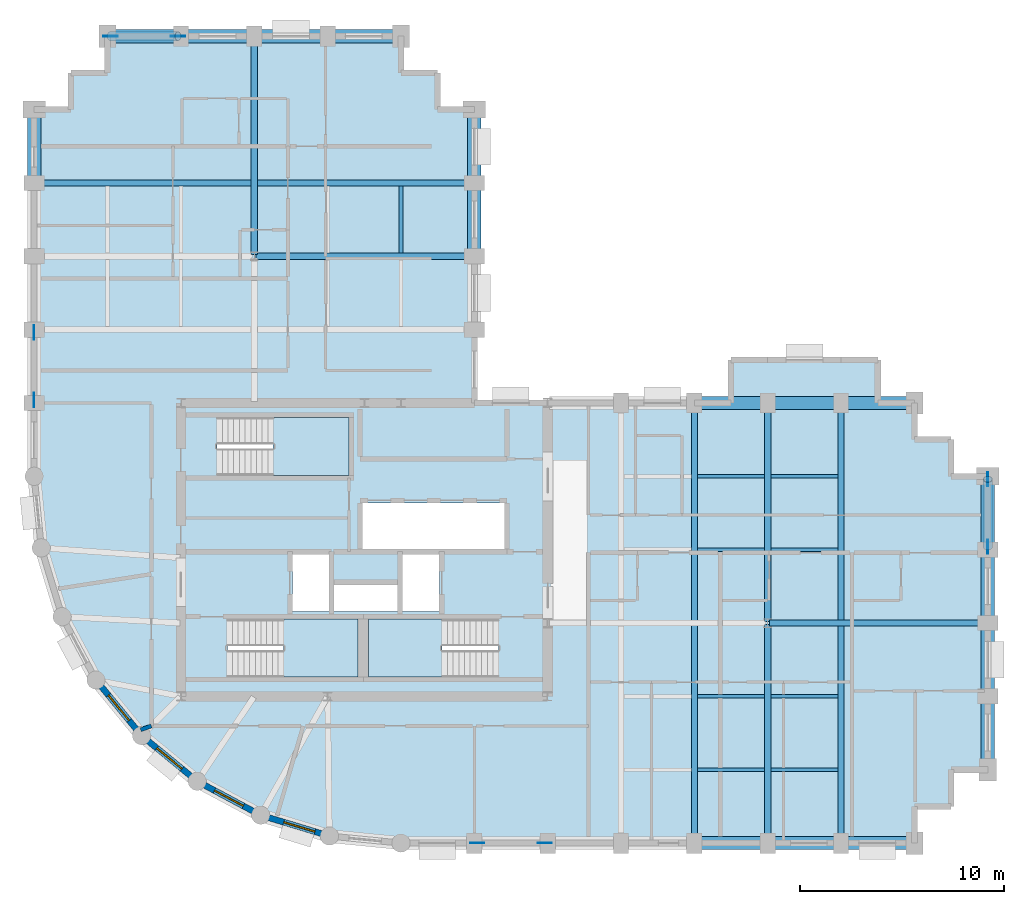
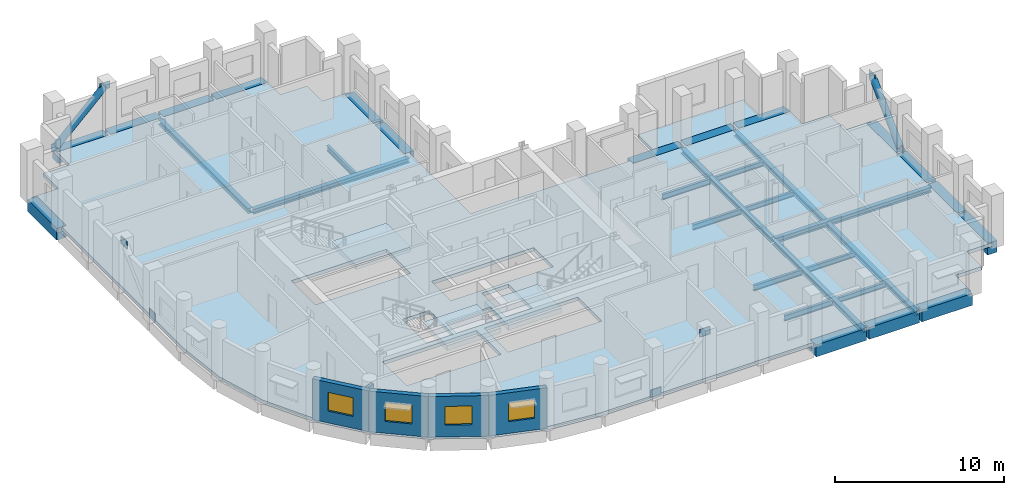
# One storey, part 2 of 9: 34 beams, 8 plates, 5 walls, 4 slabs, 4 windows, 2 members, 4 openings, 3 elements without a shape of their own.
"""IFC4 building model written with IfcOpenShell, lengths in metres."""

from ifc_helpers import new_model, si_unit, direction, frame, frame_2d, origin, origin_2d, place, context, subcontext, project, spatial, polyline, rectangle, hollow_circle, i_section, outline, extrude, material, layer, layer_set, material_profile, profile_set, type_object, element, fill, aggregate, save


model = new_model("IFC4")

# Units and contexts
model_context = context("Model", 3, precision=1e-05, world=origin(), true_north=direction((0.0, 1.0)))
body_context = subcontext(model_context, "Body", "Model", "MODEL_VIEW")
ifc_project = project(units=[si_unit("LENGTHUNIT", "METRE"), si_unit("AREAUNIT", "SQUARE_METRE"), si_unit("VOLUMEUNIT", "CUBIC_METRE"), si_unit("PLANEANGLEUNIT", "RADIAN"), si_unit("MASSUNIT", "GRAM", prefix="KILO")], contexts=[model_context])

# Site, building, storey
site_placement = place(None, origin())
site = spatial("IfcSite", under=ifc_project, at=site_placement, CompositionType="ELEMENT")
building_placement = place(site_placement, origin())
building = spatial("IfcBuilding", under=site, at=building_placement, Name="Solnavia Interchange Tower", CompositionType="ELEMENT")
storey_placement = place(building_placement, frame((0.0, 0.0, 142.800048828125)))
storey = spatial("IfcBuildingStorey", under=building, at=storey_placement, Name="L35", CompositionType="ELEMENT", Elevation=142.800048828125)

# Beams
ifc_material_1 = material(Name="Steel S460", Category="steel")
ifc_material_profile_1 = material_profile(ifc_material_1, i_section(OverallWidth=0.300048828125, OverallDepth=0.360107421875, WebThickness=0.012451171875, FlangeThickness=0.0224609375, FilletRadius=0.027099609375, at=origin_2d()), Name="HEB 360")
ifc_profile_set_1 = profile_set([ifc_material_profile_1], Name="Steel S460")
beam_type_1 = type_object("IfcBeamType", Name="Beam-Girder-HEB360", PredefinedType="BEAM", material=ifc_profile_set_1)
beam_1_placement = place(storey_placement, frame((43.280029296875, 14.39990234375, -0.429931640625), z_axis=(1.0, 0.0, 0.0), x_axis=(0.0, 1.0, 0.0)))
element("IfcBeam", 1, at=beam_1_placement, inside=storey, type_object=beam_type_1, Name="GRD-L35-ES02 East wing spine girder", PredefinedType="BEAM", context=body_context, shape_type="SweptSolid", body=[
    extrude(i_section(OverallWidth=0.300048828125, OverallDepth=0.360107421875, WebThickness=0.012451171875, FlangeThickness=0.0224609375, FilletRadius=0.027099609375, at=origin_2d()), origin(), (0.0, 0.0, 1.0), 10.639892578125),
])
for number, where, z_axis, x_axis, name in (
    (2, (39.60009765625, 3.679931640625, -0.429931640625), (0.0, 1.0, 0.0), (-1.0, 0.0, 0.0), "GRD-L35-EW04 East wing primary floor girder"),
    (3, (46.800048828125, 3.679931640625, -0.429931640625), (0.0, 1.0, 0.0), (-1.0, 0.0, 0.0), "GRD-L35-EW07 East wing primary floor girder"),
):
    element("IfcBeam", number, at=place(storey_placement, frame(where, z_axis=z_axis, x_axis=x_axis)), inside=storey, type_object=beam_type_1, Name=name, PredefinedType="BEAM", context=body_context, shape_type="SweptSolid", body=[
        extrude(i_section(OverallWidth=0.300048828125, OverallDepth=0.360107421875, WebThickness=0.012451171875, FlangeThickness=0.0224609375, FilletRadius=0.027099609375, at=origin_2d()), origin(), (0.0, 0.0, 1.0), 21.440185546875),
    ])
beam_2_placement = place(storey_placement, frame((18.0, 32.47998046875, -0.429931640625), z_axis=(0.0, 1.0, 0.0), x_axis=(-1.0, 0.0, 0.0)))
element("IfcBeam", 4, at=beam_2_placement, inside=storey, type_object=beam_type_1, Name="GRD-L35-NS09 North wing spine girder", PredefinedType="BEAM", context=body_context, shape_type="SweptSolid", body=[
    extrude(i_section(OverallWidth=0.300048828125, OverallDepth=0.360107421875, WebThickness=0.012451171875, FlangeThickness=0.0224609375, FilletRadius=0.027099609375, at=origin_2d()), origin(), (0.0, 0.0, 1.0), 10.64013671875),
])
beam_3_placement = place(storey_placement, frame((7.280029296875, 36.0, -0.429931640625), z_axis=(1.0, 0.0, 0.0), x_axis=(0.0, 1.0, 0.0)))
element("IfcBeam", 5, at=beam_3_placement, inside=storey, type_object=beam_type_1, Name="GRD-L35-NW13 North wing primary floor girder", PredefinedType="BEAM", context=body_context, shape_type="SweptSolid", body=[
    extrude(i_section(OverallWidth=0.300048828125, OverallDepth=0.360107421875, WebThickness=0.012451171875, FlangeThickness=0.0224609375, FilletRadius=0.027099609375, at=origin_2d()), origin(), (0.0, 0.0, 1.0), 21.43994140625),
])
ifc_material_2 = material(Name="Steel S355", Category="steel")
ifc_material_profile_2 = material_profile(ifc_material_2, i_section(OverallWidth=0.169921875, OverallDepth=0.360107421875, WebThickness=0.008056640625, FlangeThickness=0.0126953125, FilletRadius=0.01806640625, at=origin_2d()), Name="IPE 360")
ifc_profile_set_2 = profile_set([ifc_material_profile_2], Name="Steel S355")
beam_type_2 = type_object("IfcBeamType", Name="Beam-Joist-IPE360", PredefinedType="JOIST", material=ifc_profile_set_2)
for number, where, z_axis, x_axis, name in (
    (6, (43.35009765625, 7.199951171875, -0.429931640625), (1.0, 0.0, 0.0), (0.0, 1.0, 0.0), "JST-L35-E03 East wing secondary joist"),
    (7, (43.35009765625, 10.800048828125, -0.429931640625), (1.0, 0.0, 0.0), (0.0, 1.0, 0.0), "JST-L35-E06 East wing secondary joist"),
    (8, (43.35009765625, 18.0, -0.429931640625), (1.0, 0.0, 0.0), (0.0, 1.0, 0.0), "JST-L35-E09 East wing secondary joist"),
    (9, (43.35009765625, 21.60009765625, -0.429931640625), (1.0, 0.0, 0.0), (0.0, 1.0, 0.0), "JST-L35-E12 East wing secondary joist"),
):
    element("IfcBeam", number, at=place(storey_placement, frame(where, z_axis=z_axis, x_axis=x_axis)), inside=storey, type_object=beam_type_2, Name=name, PredefinedType="JOIST", context=body_context, shape_type="SweptSolid", body=[
        extrude(i_section(OverallWidth=0.169921875, OverallDepth=0.360107421875, WebThickness=0.008056640625, FlangeThickness=0.0126953125, FilletRadius=0.01806640625, at=origin_2d()), origin(), (0.0, 0.0, 1.0), 3.2998046875),
    ])
ifc_material_profile_3 = material_profile(ifc_material_2, i_section(OverallWidth=0.179931640625, OverallDepth=0.39990234375, WebThickness=0.008544921875, FlangeThickness=0.013427734375, FilletRadius=0.02099609375, at=origin_2d()), Name="IPE 400")
ifc_profile_set_3 = profile_set([ifc_material_profile_3], Name="Steel S355")
beam_type_3 = type_object("IfcBeamType", Name="Beam-Joist-IPE400", PredefinedType="JOIST", material=ifc_profile_set_3)
for number, where, z_axis, x_axis, name in (
    (10, (39.75, 7.199951171875, -0.449951171875), (1.0, 0.0, 0.0), (0.0, 1.0, 0.0), "JST-L35-E02 East wing secondary joist"),
    (11, (39.75, 10.800048828125, -0.449951171875), (1.0, 0.0, 0.0), (0.0, 1.0, 0.0), "JST-L35-E05 East wing secondary joist"),
    (12, (39.75, 18.0, -0.449951171875), (1.0, 0.0, 0.0), (0.0, 1.0, 0.0), "JST-L35-E08 East wing secondary joist"),
    (13, (39.75, 21.60009765625, -0.449951171875), (1.0, 0.0, 0.0), (0.0, 1.0, 0.0), "JST-L35-E11 East wing secondary joist"),
    (14, (25.199951171875, 32.550048828125, -0.449951171875), (0.0, 1.0, 0.0), (-1.0, 0.0, 0.0), "JST-L35-N20 North wing secondary joist"),
):
    element("IfcBeam", number, at=place(storey_placement, frame(where, z_axis=z_axis, x_axis=x_axis)), inside=storey, type_object=beam_type_3, Name=name, PredefinedType="JOIST", context=body_context, shape_type="SweptSolid", body=[
        extrude(i_section(OverallWidth=0.179931640625, OverallDepth=0.39990234375, WebThickness=0.008544921875, FlangeThickness=0.013427734375, FilletRadius=0.02099609375, at=origin_2d()), origin(), (0.0, 0.0, 1.0), 3.300048828125),
    ])
ifc_material_profile_4 = material_profile(ifc_material_2, i_section(OverallWidth=0.300048828125, OverallDepth=0.35009765625, WebThickness=0.010009765625, FlangeThickness=0.017578125, FilletRadius=0.027099609375, at=origin_2d()), Name="HEA 360")
ifc_profile_set_4 = profile_set([ifc_material_profile_4], Name="Steel S355")
beam_type_4 = type_object("IfcBeamType", Name="Beam-Primary-HEA360", PredefinedType="BEAM", material=ifc_profile_set_4)
for number, where, z_axis, x_axis, name in (
    (15, (43.199951171875, 3.679931640625, -0.425048828125), (0.0, 1.0, 0.0), (-1.0, 0.0, 0.0), "GRD-L35-EW05 East wing primary floor girder"),
    (16, (43.199951171875, 14.47998046875, -0.425048828125), (0.0, 1.0, 0.0), (-1.0, 0.0, 0.0), "GRD-L35-EW06 East wing primary floor girder"),
):
    element("IfcBeam", number, at=place(storey_placement, frame(where, z_axis=z_axis, x_axis=x_axis)), inside=storey, type_object=beam_type_4, Name=name, PredefinedType="BEAM", context=body_context, shape_type="SweptSolid", body=[
        extrude(i_section(OverallWidth=0.300048828125, OverallDepth=0.35009765625, WebThickness=0.010009765625, FlangeThickness=0.017578125, FilletRadius=0.027099609375, at=origin_2d()), origin(), (0.0, 0.0, 1.0), 10.64013671875),
    ])
beam_4_placement = place(storey_placement, frame((18.080078125, 32.39990234375, -0.425048828125), z_axis=(1.0, 0.0, 0.0), x_axis=(0.0, 1.0, 0.0)))
element("IfcBeam", 17, at=beam_4_placement, inside=storey, type_object=beam_type_4, Name="GRD-L35-NW12 North wing primary floor girder", PredefinedType="BEAM", context=body_context, shape_type="SweptSolid", body=[
    extrude(i_section(OverallWidth=0.300048828125, OverallDepth=0.35009765625, WebThickness=0.010009765625, FlangeThickness=0.017578125, FilletRadius=0.027099609375, at=origin_2d()), origin(), (0.0, 0.0, 1.0), 10.639892578125),
])
ifc_material_3 = material(Name="Concrete C50/60", Category="concrete")
ifc_material_profile_5 = material_profile(ifc_material_3, rectangle(XDim=0.64990234375, YDim=0.85009765625, at=origin_2d()), Name="RC 650x850")
ifc_profile_set_5 = profile_set([ifc_material_profile_5], Name="Concrete C50/60")
beam_type_5 = type_object("IfcBeamType", Name="Beam-Spandrel-RC650x850", PredefinedType="SPANDREL", material=ifc_profile_set_5)
beam_5_placement = place(storey_placement, frame((39.679931640625, 3.60009765625, -0.425048828125), z_axis=(1.0, 0.0, 0.0), x_axis=(0.0, 1.0, 0.0)))
element("IfcBeam", 18, at=beam_5_placement, inside=storey, type_object=beam_type_5, Name="SPB-L35-13 Framed-tube perimeter spandrel beam", PredefinedType="SPANDREL", context=body_context, shape_type="SweptSolid", body=[
    extrude(rectangle(XDim=0.64990234375, YDim=0.85009765625, at=origin_2d()), origin(), (0.0, 0.0, 1.0), 3.440185546875),
])
beam_6_placement = place(storey_placement, frame((43.280029296875, 3.60009765625, -0.425048828125), z_axis=(1.0, 0.0, 0.0), x_axis=(0.0, 1.0, 0.0)))
element("IfcBeam", 19, at=beam_6_placement, inside=storey, type_object=beam_type_5, Name="SPB-L35-14 Framed-tube perimeter spandrel beam", PredefinedType="SPANDREL", context=body_context, shape_type="SweptSolid", body=[
    extrude(rectangle(XDim=0.64990234375, YDim=0.85009765625, at=origin_2d()), origin(), (0.0, 0.0, 1.0), 3.43994140625),
])
beam_7_placement = place(storey_placement, frame((46.8798828125, 3.60009765625, -0.425048828125), z_axis=(1.0, 0.0, 0.0), x_axis=(0.0, 1.0, 0.0)))
element("IfcBeam", 20, at=beam_7_placement, inside=storey, type_object=beam_type_5, Name="SPB-L35-15 Framed-tube perimeter spandrel beam", PredefinedType="SPANDREL", context=body_context, shape_type="SweptSolid", body=[
    extrude(rectangle(XDim=0.64990234375, YDim=0.85009765625, at=origin_2d()), origin(), (0.0, 0.0, 1.0), 3.440185546875),
])
beam_8_placement = place(storey_placement, frame((54.0, 7.280029296875, -0.425048828125), z_axis=(0.0, 1.0, 0.0), x_axis=(-1.0, 0.0, 0.0)))
element("IfcBeam", 21, at=beam_8_placement, inside=storey, type_object=beam_type_5, Name="SPB-L35-16 Framed-tube perimeter spandrel beam", PredefinedType="SPANDREL", context=body_context, shape_type="SweptSolid", body=[
    extrude(rectangle(XDim=0.64990234375, YDim=0.85009765625, at=origin_2d()), origin(), (0.0, 0.0, 1.0), 3.43994140625),
])
beam_9_placement = place(storey_placement, frame((54.0, 10.8798828125, -0.425048828125), z_axis=(0.0, 1.0, 0.0), x_axis=(-1.0, 0.0, 0.0)))
element("IfcBeam", 22, at=beam_9_placement, inside=storey, type_object=beam_type_5, Name="SPB-L35-17 Framed-tube perimeter spandrel beam", PredefinedType="SPANDREL", context=body_context, shape_type="SweptSolid", body=[
    extrude(rectangle(XDim=0.64990234375, YDim=0.85009765625, at=origin_2d()), origin(), (0.0, 0.0, 1.0), 3.440185546875),
])
for number, where, z_axis, x_axis, name in (
    (23, (54.0, 14.47998046875, -0.425048828125), (0.0, 1.0, 0.0), (-1.0, 0.0, 0.0), "SPB-L35-18 Framed-tube perimeter spandrel beam"),
    (24, (54.0, 18.080078125, -0.425048828125), (0.0, 1.0, 0.0), (-1.0, 0.0, 0.0), "SPB-L35-19 Framed-tube perimeter spandrel beam"),
):
    element("IfcBeam", number, at=place(storey_placement, frame(where, z_axis=z_axis, x_axis=x_axis)), inside=storey, type_object=beam_type_5, Name=name, PredefinedType="SPANDREL", context=body_context, shape_type="SweptSolid", body=[
        extrude(rectangle(XDim=0.64990234375, YDim=0.85009765625, at=origin_2d()), origin(), (0.0, 0.0, 1.0), 3.43994140625),
    ])
beam_10_placement = place(storey_placement, frame((50.320068359375, 25.199951171875, -0.425048828125), z_axis=(-1.0, 0.0, 0.0), x_axis=(0.0, -1.0, 0.0)))
element("IfcBeam", 25, at=beam_10_placement, inside=storey, type_object=beam_type_5, Name="SPB-L35-20 Framed-tube perimeter spandrel beam", PredefinedType="SPANDREL", context=body_context, shape_type="SweptSolid", body=[
    extrude(rectangle(XDim=0.64990234375, YDim=0.85009765625, at=origin_2d()), origin(), (0.0, 0.0, 1.0), 3.440185546875),
])
beam_11_placement = place(storey_placement, frame((46.719970703125, 25.199951171875, -0.425048828125), z_axis=(-1.0, 0.0, 0.0), x_axis=(0.0, -1.0, 0.0)))
element("IfcBeam", 26, at=beam_11_placement, inside=storey, type_object=beam_type_5, Name="SPB-L35-21 Framed-tube perimeter spandrel beam", PredefinedType="SPANDREL", context=body_context, shape_type="SweptSolid", body=[
    extrude(rectangle(XDim=0.64990234375, YDim=0.85009765625, at=origin_2d()), origin(), (0.0, 0.0, 1.0), 3.43994140625),
])
beam_12_placement = place(storey_placement, frame((43.1201171875, 25.199951171875, -0.425048828125), z_axis=(-1.0, 0.0, 0.0), x_axis=(0.0, -1.0, 0.0)))
element("IfcBeam", 27, at=beam_12_placement, inside=storey, type_object=beam_type_5, Name="SPB-L35-22 Framed-tube perimeter spandrel beam", PredefinedType="SPANDREL", context=body_context, shape_type="SweptSolid", body=[
    extrude(rectangle(XDim=0.64990234375, YDim=0.85009765625, at=origin_2d()), origin(), (0.0, 0.0, 1.0), 3.440185546875),
])
for number, where, z_axis, x_axis, name in (
    (28, (28.800048828125, 32.47998046875, -0.425048828125), (0.0, 1.0, 0.0), (-1.0, 0.0, 0.0), "SPB-L35-26 Framed-tube perimeter spandrel beam"),
    (29, (28.800048828125, 36.080078125, -0.425048828125), (0.0, 1.0, 0.0), (-1.0, 0.0, 0.0), "SPB-L35-27 Framed-tube perimeter spandrel beam"),
):
    element("IfcBeam", number, at=place(storey_placement, frame(where, z_axis=z_axis, x_axis=x_axis)), inside=storey, type_object=beam_type_5, Name=name, PredefinedType="SPANDREL", context=body_context, shape_type="SweptSolid", body=[
        extrude(rectangle(XDim=0.64990234375, YDim=0.85009765625, at=origin_2d()), origin(), (0.0, 0.0, 1.0), 3.43994140625),
    ])
beam_13_placement = place(storey_placement, frame((25.1201171875, 43.199951171875, -0.425048828125), z_axis=(-1.0, 0.0, 0.0), x_axis=(0.0, -1.0, 0.0)))
element("IfcBeam", 30, at=beam_13_placement, inside=storey, type_object=beam_type_5, Name="SPB-L35-28 Framed-tube perimeter spandrel beam", PredefinedType="SPANDREL", context=body_context, shape_type="SweptSolid", body=[
    extrude(rectangle(XDim=0.64990234375, YDim=0.85009765625, at=origin_2d()), origin(), (0.0, 0.0, 1.0), 3.440185546875),
])
for number, where, z_axis, x_axis, name in (
    (31, (21.52001953125, 43.199951171875, -0.425048828125), (-1.0, 0.0, 0.0), (0.0, -1.0, 0.0), "SPB-L35-29 Framed-tube perimeter spandrel beam"),
    (32, (17.919921875, 43.199951171875, -0.425048828125), (-1.0, 0.0, 0.0), (0.0, -1.0, 0.0), "SPB-L35-30 Framed-tube perimeter spandrel beam"),
):
    element("IfcBeam", number, at=place(storey_placement, frame(where, z_axis=z_axis, x_axis=x_axis)), inside=storey, type_object=beam_type_5, Name=name, PredefinedType="SPANDREL", context=body_context, shape_type="SweptSolid", body=[
        extrude(rectangle(XDim=0.64990234375, YDim=0.85009765625, at=origin_2d()), origin(), (0.0, 0.0, 1.0), 3.43994140625),
    ])
beam_14_placement = place(storey_placement, frame((14.320068359375, 43.199951171875, -0.425048828125), z_axis=(-1.0, 0.0, 0.0), x_axis=(0.0, -1.0, 0.0)))
element("IfcBeam", 33, at=beam_14_placement, inside=storey, type_object=beam_type_5, Name="SPB-L35-31 Framed-tube perimeter spandrel beam", PredefinedType="SPANDREL", context=body_context, shape_type="SweptSolid", body=[
    extrude(rectangle(XDim=0.64990234375, YDim=0.85009765625, at=origin_2d()), origin(), (0.0, 0.0, 1.0), 3.440185546875),
])
beam_15_placement = place(storey_placement, frame((7.199951171875, 39.52001953125, -0.425048828125), z_axis=(0.0, -1.0, 0.0), x_axis=(1.0, 0.0, 0.0)))
element("IfcBeam", 34, at=beam_15_placement, inside=storey, type_object=beam_type_5, Name="SPB-L35-32 Framed-tube perimeter spandrel beam", PredefinedType="SPANDREL", context=body_context, shape_type="SweptSolid", body=[
    extrude(rectangle(XDim=0.64990234375, YDim=0.85009765625, at=origin_2d()), origin(), (0.0, 0.0, 1.0), 3.43994140625),
])

# Members
ifc_material_profile_6 = material_profile(ifc_material_1, hollow_circle(Radius=0.228515625, WallThickness=0.02001953125, at=origin_2d()), Name="CHS 457x20")
ifc_profile_set_6 = profile_set([ifc_material_profile_6], Name="Steel S460")
member_type = type_object("IfcMemberType", Name="Brace-Perim-CHS457", PredefinedType="BRACE", material=ifc_profile_set_6)
for number, where, z_axis, x_axis, name in (
    (35, (54.0, 18.139892578125, 0.179931640625), (0.0, 0.721096918576, 0.692834203847), (-1.0, 0.0, 0.0), "BRC-L35-03 Perimeter tube diagonal brace"),
    (36, (10.93994140625, 43.199951171875, 0.179931640625), (0.721096918576, 0.0, 0.692834203847), (0.0, 1.0, 0.0), "BRC-L35-04 Perimeter tube diagonal brace"),
):
    element("IfcMember", number, at=place(storey_placement, frame(where, z_axis=z_axis, x_axis=x_axis)), inside=storey, type_object=member_type, Name=name, PredefinedType="BRACE", context=body_context, shape_type="SweptSolid", body=[
        extrude(hollow_circle(Radius=0.228515625, WallThickness=0.02001953125, at=origin_2d()), origin(), (0.0, 0.0, 1.0), 4.604248046875),
    ])

# Plates
ifc_layer_1 = layer(ifc_material_1, 0.030029296875)
ifc_layer_set_1 = layer_set([ifc_layer_1], Name="Steel S460")
plate_type = type_object("IfcPlateType", Name="Plate-Gusset-700x520x30", PredefinedType="USERDEFINED", material=ifc_layer_set_1)
for number, where, z_axis, x_axis, name in (
    (37, (28.93994140625, 3.60009765625, -0.080078125), (0.0, 0.0, 1.0), (1.0, 0.0, 0.0), "PLT-L35-GP01 Perimeter brace gusset plate"),
    (38, (32.260009765625, 3.60009765625, 3.10986328125), (0.0, 0.0, 1.0), (1.0, 0.0, 0.0), "PLT-L35-GP02 Perimeter brace gusset plate"),
    (39, (7.199951171875, 25.340087890625, -0.080078125), (0.0, 0.0, 1.0), (0.0, 1.0, 0.0), "PLT-L35-GP03 Perimeter brace gusset plate"),
    (40, (7.199951171875, 28.659912109375, 3.10986328125), (0.0, 0.0, 1.0), (0.0, 1.0, 0.0), "PLT-L35-GP04 Perimeter brace gusset plate"),
    (41, (54.0, 18.139892578125, -0.080078125), (0.0, 0.0, 1.0), (0.0, 1.0, 0.0), "PLT-L35-GP05 Perimeter brace gusset plate"),
    (42, (54.0, 21.4599609375, 3.10986328125), (0.0, 0.0, 1.0), (0.0, 1.0, 0.0), "PLT-L35-GP06 Perimeter brace gusset plate"),
    (43, (10.93994140625, 43.199951171875, -0.080078125), (0.0, 0.0, 1.0), (1.0, 0.0, 0.0), "PLT-L35-GP07 Perimeter brace gusset plate"),
    (44, (14.260009765625, 43.199951171875, 3.10986328125), (0.0, 0.0, 1.0), (1.0, 0.0, 0.0), "PLT-L35-GP08 Perimeter brace gusset plate"),
):
    element("IfcPlate", number, at=place(storey_placement, frame(where, z_axis=z_axis, x_axis=x_axis)), inside=storey, type_object=plate_type, Name=name, ObjectType="GUSSET PLATE", PredefinedType="USERDEFINED", context=body_context, shape_type="SweptSolid", body=[
        extrude(rectangle(XDim=0.699951171875, YDim=0.030029296875, at=origin_2d()), origin(), (0.0, 0.0, 1.0), 0.52001953125),
    ])

# Stair, slab
ifc_material_4 = material(Name="Concrete C40/50", Category="concrete")
stair_type = type_object("IfcStairType", Name="Stair-Dogleg-RC", PredefinedType="HALF_TURN_STAIR", material=ifc_material_4)
stair_1_placement = place(storey_placement, origin())
stair_1 = element("IfcStair", 45, at=stair_1_placement, inside=storey, type_object=stair_type, Name="L35 Core exit stair 1", PredefinedType="HALF_TURN_STAIR")
ifc_layer_2 = layer(ifc_material_4, 0.35009765625)
ifc_layer_set_2 = layer_set([ifc_layer_2], Name="Concrete C40/50")
slab_type_1 = type_object("IfcSlabType", Name="Slab-StairLanding-350", PredefinedType="LANDING", material=ifc_layer_set_2)
slab_1_placement = place(storey_placement, frame((0.0, 0.0, 1.550048828125)))
slab_1 = element("IfcSlab", 46, at=slab_1_placement, type_object=slab_type_1, Name="ST-1 landing 1", PredefinedType="LANDING", context=body_context, shape_type="SweptSolid", body=[
    extrude(outline(polyline([(19.427978515625, 11.75), (23.10009765625, 11.75), (23.10009765625, 14.590087890625), (19.427978515625, 14.590087890625), (19.427978515625, 11.75)])), origin(), (0.0, 0.0, 1.0), 0.349853515625),
])
aggregate(stair_1, [slab_1])

stair_2_placement = place(storey_placement, origin())
stair_2 = element("IfcStair", 47, at=stair_2_placement, inside=storey, type_object=stair_type, Name="L35 Core exit stair 2", PredefinedType="HALF_TURN_STAIR")
slab_2_placement = place(storey_placement, frame((0.0, 0.0, 1.550048828125)))
slab_2 = element("IfcSlab", 48, at=slab_2_placement, type_object=slab_type_1, Name="ST-2 landing 1", PredefinedType="LANDING", context=body_context, shape_type="SweptSolid", body=[
    extrude(outline(polyline([(23.60009765625, 11.75), (27.221923828125, 11.75), (27.221923828125, 14.590087890625), (23.60009765625, 14.590087890625), (23.60009765625, 11.75)])), origin(), (0.0, 0.0, 1.0), 0.349853515625),
])
aggregate(stair_2, [slab_2])

stair_3_placement = place(storey_placement, origin())
stair_3 = element("IfcStair", 49, at=stair_3_placement, inside=storey, type_object=stair_type, Name="L35 Core exit stair 3", PredefinedType="HALF_TURN_STAIR")
slab_3_placement = place(storey_placement, frame((0.0, 0.0, 1.550048828125)))
slab_3 = element("IfcSlab", 50, at=slab_3_placement, type_object=slab_type_1, Name="ST-3 landing 1", PredefinedType="LANDING", context=body_context, shape_type="SweptSolid", body=[
    extrude(outline(polyline([(18.927978515625, 21.64990234375), (22.64990234375, 21.64990234375), (22.64990234375, 24.489990234375), (18.927978515625, 24.489990234375), (18.927978515625, 21.64990234375)])), origin(), (0.0, 0.0, 1.0), 0.349853515625),
])
aggregate(stair_3, [slab_3])

# Slab
ifc_layer_3 = layer(ifc_material_4, 0.25)
ifc_layer_set_3 = layer_set([ifc_layer_3], Name="Concrete C40/50")
slab_type_2 = type_object("IfcSlabType", Name="Slab-Tower-250", PredefinedType="FLOOR", material=ifc_layer_set_3)
slab_4_placement = place(storey_placement, frame((0.0, 0.0, -0.25)))
element("IfcSlab", 51, at=slab_4_placement, inside=storey, type_object=slab_type_2, Name="SLB-L35-01 Structural floor slab", PredefinedType="FLOOR", context=body_context, shape_type="SweptSolid", body=[
    extrude(outline(polyline([(25.199951171875, 3.60009765625), (50.39990234375, 3.60009765625), (50.39990234375, 5.39990234375), (52.199951171875, 5.39990234375), (52.199951171875, 7.199951171875), (54.0, 7.199951171875), (54.0, 21.60009765625), (52.199951171875, 21.60009765625), (52.199951171875, 23.39990234375), (50.39990234375, 23.39990234375), (50.39990234375, 25.199951171875), (48.60009765625, 25.199951171875), (48.60009765625, 27.300048828125), (41.39990234375, 27.300048828125), (41.39990234375, 25.199951171875), (28.800048828125, 25.199951171875), (28.800048828125, 39.60009765625), (27.0, 39.60009765625), (27.0, 41.39990234375), (25.199951171875, 41.39990234375), (25.199951171875, 43.199951171875), (10.800048828125, 43.199951171875), (10.800048828125, 41.39990234375), (9.0, 41.39990234375), (9.0, 39.60009765625), (7.199951171875, 39.60009765625), (7.199951171875, 21.60009765625), (7.5458984375, 18.087890625), (8.570068359375, 14.7119140625), (10.23388671875, 11.60009765625), (12.471923828125, 8.8720703125), (15.199951171875, 6.634033203125), (18.31201171875, 4.969970703125), (21.68798828125, 3.946044921875), (25.199951171875, 3.60009765625)]), holes=[polyline([(16.675048828125, 11.75), (23.10009765625, 11.75), (23.10009765625, 14.590087890625), (16.675048828125, 14.590087890625), (16.675048828125, 11.75)]), polyline([(23.60009765625, 11.75), (29.97509765625, 11.75), (29.97509765625, 14.590087890625), (23.60009765625, 14.590087890625), (23.60009765625, 11.75)]), polyline([(16.175048828125, 21.64990234375), (22.64990234375, 21.64990234375), (22.64990234375, 24.489990234375), (16.175048828125, 24.489990234375), (16.175048828125, 21.64990234375)]), polyline([(19.8798828125, 14.9599609375), (21.679931640625, 14.9599609375), (21.679931640625, 17.780029296875), (19.8798828125, 17.780029296875), (19.8798828125, 14.9599609375)]), polyline([(25.280029296875, 14.9599609375), (27.080078125, 14.9599609375), (27.080078125, 17.780029296875), (25.280029296875, 17.780029296875), (25.280029296875, 14.9599609375)]), polyline([(21.919921875, 14.9599609375), (25.02001953125, 14.9599609375), (25.02001953125, 16.280029296875), (21.919921875, 16.280029296875), (21.919921875, 14.9599609375)]), polyline([(23.300048828125, 18.02001953125), (30.280029296875, 18.02001953125), (30.280029296875, 20.300048828125), (23.300048828125, 20.300048828125), (23.300048828125, 18.02001953125)])]), origin(), (0.0, 0.0, 1.0), 0.25),
])

# Wall
ifc_material_5 = material(Name="Gypsum Acoustic Twin-Stud & Mineral Wool", Category="gypsum")
ifc_layer_4 = layer(ifc_material_5, 0.199951171875)
ifc_layer_set_4 = layer_set([ifc_layer_4], Name="Gypsum Acoustic Twin-Stud & Mineral Wool")
wall_type_1 = type_object("IfcWallType", Name="Wall-ApartmentParty-200", PredefinedType="PARTITIONING", material=ifc_layer_set_4)
wall_1_placement = place(storey_placement, frame((12.949951171875, 9.35009765625, 0.0), z_axis=(0.0, 0.0, 1.0), x_axis=(-0.939538101119, -0.342444384601, 0.0)))
element("IfcWall", 52, at=wall_1_placement, inside=storey, type_object=wall_type_1, Name="PTW-L35-10 Interior partition wall", PredefinedType="PARTITIONING", context=body_context, shape_type="SweptSolid", body=[
    extrude(rectangle(XDim=0.558837890625, YDim=0.199951171875, at=frame_2d((0.279296875, 0.0))), origin(), (0.0, 0.0, 1.0), 2.929931640625),
])

# Wall, opening, window
ifc_layer_5 = layer(ifc_material_4, 0.300048828125)
ifc_layer_set_5 = layer_set([ifc_layer_5], Name="Concrete C40/50")
wall_type_2 = type_object("IfcWallType", Name="Wall-ExtSpandrel-300", PredefinedType="STANDARD", material=ifc_layer_set_5)
wall_2_placement = place(storey_placement, frame((12.471923828125, 8.8720703125, 0.0), z_axis=(0.0, 0.0, 1.0), x_axis=(-0.634258295121, 0.773121216285, 0.0)))
wall_2 = element("IfcWall", 53, at=wall_2_placement, inside=storey, type_object=wall_type_2, Name="EXW-L35-54 Exterior precast spandrel wall", PredefinedType="STANDARD", context=body_context, shape_type="SweptSolid", body=[
    extrude(rectangle(XDim=3.528564453125, YDim=0.300048828125, at=frame_2d((1.76416015625, 0.0))), origin(), (0.0, 0.0, 1.0), 2.929931640625),
])
opening_1_placement = place(wall_2_placement, frame((0.964111328125, 0.0, 0.85009765625)))
opening_1 = element("IfcOpeningElement", 54, at=opening_1_placement, cuts=wall_2, Name="Opening WIN-04", PredefinedType="OPENING", context=body_context, shape_type="SweptSolid", body=[
    extrude(rectangle(XDim=1.60009765625, YDim=1.35009765625, at=frame_2d((0.800048828125, 0.675048828125))), frame((0.0, 0.16015625, 0.0), z_axis=(0.0, -1.0, 0.0), x_axis=(1.0, 0.0, 0.0)), (0.0, 0.0, 1.0), 0.320068359375),
])
ifc_material_6 = material(Name="Thermal-Break Aluminium & Low-E Glass", Category="aluminium")
window_type = type_object("IfcWindowType", Name="Window-Drum-1600x1350", PartitioningType="SINGLE_PANEL", PredefinedType="WINDOW", material=ifc_material_6)
window_1_placement = place(opening_1_placement, origin())
window_1 = element("IfcWindow", 55, at=window_1_placement, inside=storey, type_object=window_type, Name="WIN-L35-54 Facade ribbon window", OverallHeight=1.35009765625, OverallWidth=1.60009765625, PartitioningType="SINGLE_PANEL", PredefinedType="WINDOW", context=body_context, shape_type="SweptSolid", body=[
    extrude(rectangle(XDim=1.60009765625, YDim=1.35009765625, at=frame_2d((0.800048828125, 0.675048828125))), frame((0.0, 0.030029296875, 0.0), z_axis=(0.0, -1.0, 0.0), x_axis=(1.0, 0.0, 0.0)), (0.0, 0.0, 1.0), 0.06005859375),
])
fill(opening_1, window_1)

wall_3_placement = place(storey_placement, frame((15.199951171875, 6.634033203125, 0.0), z_axis=(0.0, 0.0, 1.0), x_axis=(-0.773121216285, 0.634258295121, 0.0)))
wall_3 = element("IfcWall", 56, at=wall_3_placement, inside=storey, type_object=wall_type_2, Name="EXW-L35-55 Exterior precast spandrel wall", PredefinedType="STANDARD", context=body_context, shape_type="SweptSolid", body=[
    extrude(rectangle(XDim=3.528564453125, YDim=0.300048828125, at=frame_2d((1.76416015625, 0.0))), origin(), (0.0, 0.0, 1.0), 2.929931640625),
])
opening_2_placement = place(wall_3_placement, frame((0.964111328125, 0.0, 0.85009765625)))
opening_2 = element("IfcOpeningElement", 57, at=opening_2_placement, cuts=wall_3, Name="Opening WIN-04", PredefinedType="OPENING", context=body_context, shape_type="SweptSolid", body=[
    extrude(rectangle(XDim=1.60009765625, YDim=1.35009765625, at=frame_2d((0.800048828125, 0.675048828125))), frame((0.0, 0.16015625, 0.0), z_axis=(0.0, -1.0, 0.0), x_axis=(1.0, 0.0, 0.0)), (0.0, 0.0, 1.0), 0.320068359375),
])
window_2_placement = place(opening_2_placement, origin())
window_2 = element("IfcWindow", 58, at=window_2_placement, inside=storey, type_object=window_type, Name="WIN-L35-55 Facade ribbon window", OverallHeight=1.35009765625, OverallWidth=1.60009765625, PartitioningType="SINGLE_PANEL", PredefinedType="WINDOW", context=body_context, shape_type="SweptSolid", body=[
    extrude(rectangle(XDim=1.60009765625, YDim=1.35009765625, at=frame_2d((0.800048828125, 0.675048828125))), frame((0.0, 0.030029296875, 0.0), z_axis=(0.0, -1.0, 0.0), x_axis=(1.0, 0.0, 0.0)), (0.0, 0.0, 1.0), 0.06005859375),
])
fill(opening_2, window_2)

wall_4_placement = place(storey_placement, frame((18.31201171875, 4.969970703125, 0.0), z_axis=(0.0, 0.0, 1.0), x_axis=(-0.881846862014, 0.471535907389, 0.0)))
wall_4 = element("IfcWall", 59, at=wall_4_placement, inside=storey, type_object=wall_type_2, Name="EXW-L35-56 Exterior precast spandrel wall", PredefinedType="STANDARD", context=body_context, shape_type="SweptSolid", body=[
    extrude(rectangle(XDim=3.529052734375, YDim=0.300048828125, at=frame_2d((1.7646484375, 0.0))), origin(), (0.0, 0.0, 1.0), 2.929931640625),
])
opening_3_placement = place(wall_4_placement, frame((0.964111328125, 0.0, 0.85009765625)))
opening_3 = element("IfcOpeningElement", 60, at=opening_3_placement, cuts=wall_4, Name="Opening WIN-04", PredefinedType="OPENING", context=body_context, shape_type="SweptSolid", body=[
    extrude(rectangle(XDim=1.60009765625, YDim=1.35009765625, at=frame_2d((0.800048828125, 0.675048828125))), frame((0.0, 0.16015625, 0.0), z_axis=(0.0, -1.0, 0.0), x_axis=(1.0, 0.0, 0.0)), (0.0, 0.0, 1.0), 0.320068359375),
])
window_3_placement = place(opening_3_placement, origin())
window_3 = element("IfcWindow", 61, at=window_3_placement, inside=storey, type_object=window_type, Name="WIN-L35-56 Facade ribbon window", OverallHeight=1.35009765625, OverallWidth=1.60009765625, PartitioningType="SINGLE_PANEL", PredefinedType="WINDOW", context=body_context, shape_type="SweptSolid", body=[
    extrude(rectangle(XDim=1.60009765625, YDim=1.35009765625, at=frame_2d((0.800048828125, 0.675048828125))), frame((0.0, 0.030029296875, 0.0), z_axis=(0.0, -1.0, 0.0), x_axis=(1.0, 0.0, 0.0)), (0.0, 0.0, 1.0), 0.06005859375),
])
fill(opening_3, window_3)

wall_5_placement = place(storey_placement, frame((21.68798828125, 3.946044921875, 0.0), z_axis=(0.0, 0.0, 1.0), x_axis=(-0.956953367403, 0.290241714123, 0.0)))
wall_5 = element("IfcWall", 62, at=wall_5_placement, inside=storey, type_object=wall_type_2, Name="EXW-L35-57 Exterior precast spandrel wall", PredefinedType="STANDARD", context=body_context, shape_type="SweptSolid", body=[
    extrude(rectangle(XDim=3.52783203125, YDim=0.300048828125, at=frame_2d((1.763916015625, 0.0))), origin(), (0.0, 0.0, 1.0), 2.929931640625),
])
opening_4_placement = place(wall_5_placement, frame((0.743896484375, 0.0, 0.85009765625)))
opening_4 = element("IfcOpeningElement", 63, at=opening_4_placement, cuts=wall_5, Name="Opening WIN-04", PredefinedType="OPENING", context=body_context, shape_type="SweptSolid", body=[
    extrude(rectangle(XDim=1.60009765625, YDim=1.35009765625, at=frame_2d((0.800048828125, 0.675048828125))), frame((0.0, 0.16015625, 0.0), z_axis=(0.0, -1.0, 0.0), x_axis=(1.0, 0.0, 0.0)), (0.0, 0.0, 1.0), 0.320068359375),
])
window_4_placement = place(opening_4_placement, origin())
window_4 = element("IfcWindow", 64, at=window_4_placement, inside=storey, type_object=window_type, Name="WIN-L35-57 Facade ribbon window", OverallHeight=1.35009765625, OverallWidth=1.60009765625, PartitioningType="SINGLE_PANEL", PredefinedType="WINDOW", context=body_context, shape_type="SweptSolid", body=[
    extrude(rectangle(XDim=1.60009765625, YDim=1.35009765625, at=frame_2d((0.800048828125, 0.675048828125))), frame((0.0, 0.030029296875, 0.0), z_axis=(0.0, -1.0, 0.0), x_axis=(1.0, 0.0, 0.0)), (0.0, 0.0, 1.0), 0.06005859375),
])
fill(opening_4, window_4)

save(model, "model.ifc")
